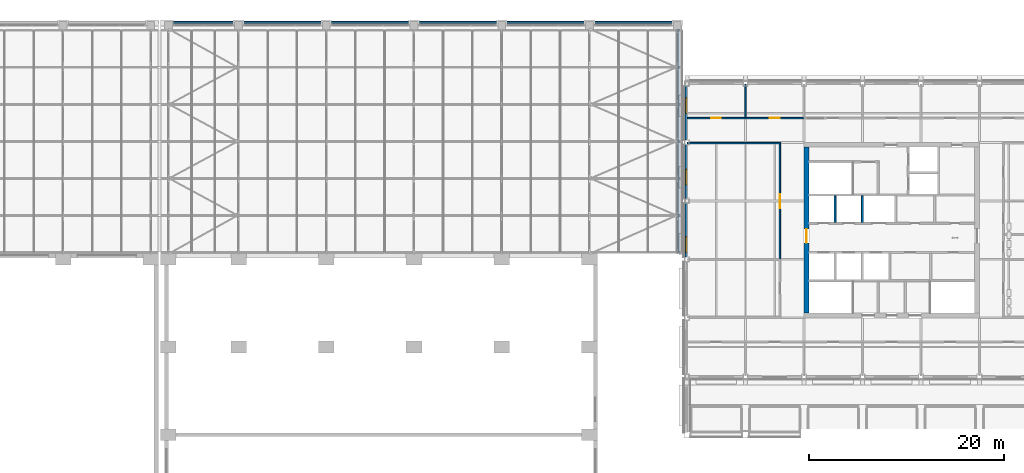
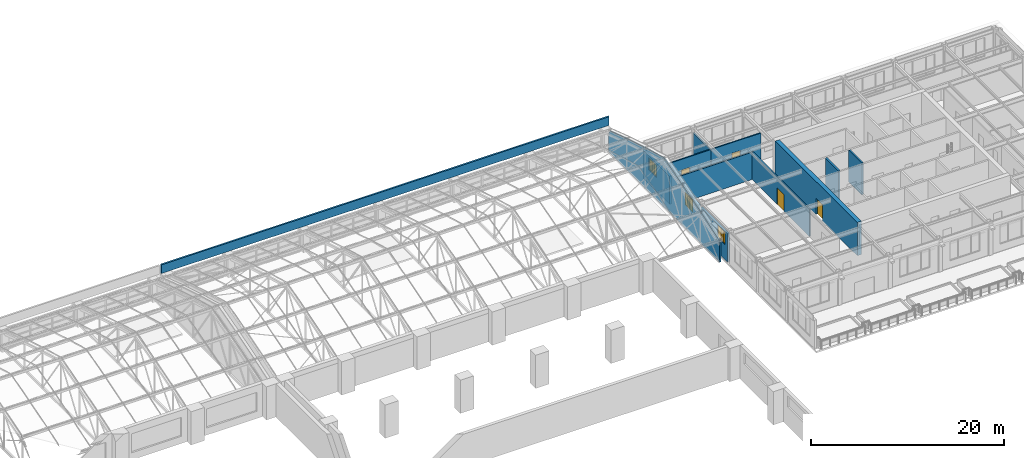
# One storey, part 61 of 82: 13 walls, 4 doors, 3 windows, 7 openings.
"""IFC4 building model written with IfcOpenShell, lengths in metres."""

from ifc_helpers import new_model, si_unit, direction, frame, frame_2d, origin, place, context, subcontext, project, spatial, polyline, rectangle, outline, extrude, material, layer, layer_set, type_object, element, fill, save


model = new_model("IFC4")

# Units and contexts
model_context = context("Model", 3, precision=1e-05, world=origin(), true_north=direction((0.0, 1.0)))
body_context = subcontext(model_context, "Body", "Model", "MODEL_VIEW")
ifc_project = project(units=[si_unit("LENGTHUNIT", "METRE"), si_unit("AREAUNIT", "SQUARE_METRE"), si_unit("VOLUMEUNIT", "CUBIC_METRE"), si_unit("PLANEANGLEUNIT", "RADIAN"), si_unit("MASSUNIT", "GRAM", prefix="KILO")], contexts=[model_context])

# Site, building, storey
site_placement = place(None, origin())
site = spatial("IfcSite", under=ifc_project, at=site_placement, CompositionType="ELEMENT")
building_placement = place(site_placement, origin())
building = spatial("IfcBuilding", under=site, at=building_placement, Name="Aravalli Gate Trade Fair Centre", CompositionType="ELEMENT")
storey_placement = place(building_placement, frame((0.0, 0.0, 19.199951171875)))
storey = spatial("IfcBuildingStorey", under=building, at=storey_placement, Name="L04", CompositionType="ELEMENT", Elevation=19.199951171875)

# Walls
ifc_material_1 = material(Name="Concrete M30", Category="concrete")
ifc_layer_1 = layer(ifc_material_1, 0.14990234375, Name="Structural parapet")
ifc_material_2 = material(Name="Terracotta cladding", Category="masonry")
ifc_layer_2 = layer(ifc_material_2, 0.050048828125, Name="Terracotta cladding")
ifc_layer_set_1 = layer_set([ifc_layer_1, ifc_layer_2], Name="Concourse roof parapet 200")
wall_type_1 = type_object("IfcWallType", Name="Concourse roof parapet 200", PredefinedType="PARAPET", material=ifc_layer_set_1)
wall_1_placement = place(storey_placement, frame((106.0, 133.300048828125, 2.85009765625), z_axis=(0.0, 0.0, 1.0), x_axis=(1.0, 0.0, 0.0)))
element("IfcWall", 1, at=wall_1_placement, inside=storey, type_object=wall_type_1, Name="Roof parapet N2", PredefinedType="PARAPET", context=body_context, shape_type="SweptSolid", body=[
    extrude(rectangle(XDim=53.5, YDim=0.199951171875, at=frame_2d((26.75, 0.0))), origin(), (0.0, 0.0, 1.0), 1.099853515625),
])
ifc_material_3 = material(Name="Aluminium and glass", Category="aluminium")
ifc_layer_3 = layer(ifc_material_3, 0.14990234375)
ifc_layer_set_2 = layer_set([ifc_layer_3], Name="Aluminium and glass")
wall_type_2 = type_object("IfcWallType", Name="Vault gable wall 150", PredefinedType="STANDARD", material=ifc_layer_set_2)
wall_2_placement = place(storey_placement, frame((159.14990234375, 109.60009765625, 0.0), z_axis=(0.0, 0.0, 1.0), x_axis=(0.0, 1.0, 0.0)))
element("IfcWall", 2, at=wall_2_placement, inside=storey, type_object=wall_type_2, Name="Vault gable wall e1", PredefinedType="STANDARD", context=body_context, shape_type="SweptSolid", body=[
    extrude(outline(polyline([(0.0, 0.0), (23.0, 0.0), (22.969970703125, 2.453125), (22.830078125, 2.453125), (22.8291015625, 2.75341796875), (19.1708984375, 3.95654296875), (19.169921875, 3.701171875), (19.030029296875, 3.701171875), (19.029052734375, 4.00146484375), (15.37109375, 5.108642578125), (15.3701171875, 4.849365234375), (15.22998046875, 4.849365234375), (15.22900390625, 5.149658203125), (11.571044921875, 6.160400390625), (11.570068359375, 5.880126953125), (11.429931640625, 5.880126953125), (11.428955078125, 6.160400390625), (7.77099609375, 5.149658203125), (7.77001953125, 4.849365234375), (7.6298828125, 4.849365234375), (7.62890625, 5.108642578125), (3.970947265625, 4.00146484375), (3.969970703125, 3.701171875), (3.830078125, 3.701171875), (3.8291015625, 3.95654296875), (0.1708984375, 2.75341796875), (0.169921875, 2.453125), (0.030029296875, 2.453125), (0.0, 0.0)])), frame((0.0, 0.074951171875, 0.0), z_axis=(0.0, -1.0, 0.0), x_axis=(1.0, 0.0, 0.0)), (0.0, 0.0, 1.0), 0.14990234375),
])
ifc_layer_4 = layer(ifc_material_1, 0.199951171875)
ifc_layer_set_3 = layer_set([ifc_layer_4], Name="Concrete M30")
wall_type_3 = type_object("IfcWallType", Name="Wing core internal wall 200 (EI 120, lift shaft)", PredefinedType="SOLIDWALL", material=ifc_layer_set_3)
for number, where, z_axis, x_axis, name in (
    (3, (175.199951171875, 112.800048828125, 0.0), (0.0, 0.0, 1.0), (0.0, 1.0, 0.0), "Core wall NB-3.2 L04"),
    (4, (178.0, 112.800048828125, 0.0), (0.0, 0.0, 1.0), (0.0, 1.0, 0.0), "Core wall NB-6.0 L04"),
):
    element("IfcWall", number, at=place(storey_placement, frame(where, z_axis=z_axis, x_axis=x_axis)), inside=storey, type_object=wall_type_3, Name=name, PredefinedType="SOLIDWALL", context=body_context, shape_type="SweptSolid", body=[
        extrude(rectangle(XDim=2.699951171875, YDim=0.199951171875, at=frame_2d((1.35009765625, 0.0))), origin(), (0.0, 0.0, 1.0), 4.0),
    ])

# Wall, opening, door
ifc_material_4 = material(Name="Concrete M50", Category="concrete")
ifc_layer_5 = layer(ifc_material_4, 0.5)
ifc_layer_set_4 = layer_set([ifc_layer_5], Name="Concrete M50")
wall_type_4 = type_object("IfcWallType", Name="Wing core shear wall 500", PredefinedType="SHEAR", material=ifc_layer_set_4)
wall_3_placement = place(storey_placement, frame((172.25, 103.5, 0.0), z_axis=(0.0, 0.0, 1.0), x_axis=(0.0, 1.0, 0.0)))
wall_3 = element("IfcWall", 5, at=wall_3_placement, inside=storey, type_object=wall_type_4, Name="Core wall W L04", PredefinedType="SHEAR", context=body_context, shape_type="SweptSolid", body=[
    extrude(rectangle(XDim=17.0, YDim=0.5, at=frame_2d((8.5, 0.0))), origin(), (0.0, 0.0, 1.0), 4.199951171875),
])
opening_1_placement = place(wall_3_placement, frame((7.199951171875, 0.0, 0.0)))
opening_1 = element("IfcOpeningElement", 6, at=opening_1_placement, cuts=wall_3, Name="Opening T-L04-106", PredefinedType="OPENING", context=body_context, shape_type="SweptSolid", body=[
    extrude(rectangle(XDim=1.39990234375, YDim=2.10009765625, at=frame_2d((0.699951171875, 1.050048828125))), frame((0.0, 0.260009765625, 0.0), z_axis=(0.0, -1.0, 0.0), x_axis=(1.0, 0.0, 0.0)), (0.0, 0.0, 1.0), 0.52001953125),
])
ifc_material_5 = material(Name="Steel, fire rated", Category="steel")
door_type_1 = type_object("IfcDoorType", Name="Wing fire door FD120 1400 x 2100", OperationType="DOUBLE_DOOR_SINGLE_SWING", PredefinedType="DOOR", material=ifc_material_5)
door_1_placement = place(opening_1_placement, origin())
door_1 = element("IfcDoor", 7, at=door_1_placement, inside=storey, type_object=door_type_1, Name="Core door T-L04-106", OperationType="DOUBLE_DOOR_SINGLE_SWING", OverallHeight=2.10009765625, OverallWidth=1.39990234375, PredefinedType="DOOR", context=body_context, shape_type="SweptSolid", body=[
    extrude(rectangle(XDim=1.39990234375, YDim=2.10009765625, at=frame_2d((0.699951171875, 1.050048828125))), frame((0.0, 0.02490234375, 0.0), z_axis=(0.0, -1.0, 0.0), x_axis=(1.0, 0.0, 0.0)), (0.0, 0.0, 1.0), 0.050048828125),
])
fill(opening_1, door_1)

ifc_material_6 = material(Name="Blockwork with fire-rated lining", Category="masonry")
ifc_layer_6 = layer(ifc_material_6, 0.14990234375)
ifc_layer_set_5 = layer_set([ifc_layer_6], Name="Blockwork with fire-rated lining")
wall_type_5 = type_object("IfcWallType", Name="Wing partition 150 (EI 60, corridor wall)", PredefinedType="PARTITIONING", material=ifc_layer_set_5)
wall_4_placement = place(storey_placement, frame((160.050048828125, 123.47509765625, 0.0), z_axis=(0.0, 0.0, 1.0), x_axis=(1.0, 0.0, 0.0)))
wall_4 = element("IfcWall", 8, at=wall_4_placement, inside=storey, type_object=wall_type_5, Name="Partition NW1 L04", PredefinedType="PARTITIONING", context=body_context, shape_type="SweptSolid", body=[
    extrude(rectangle(XDim=5.949951171875, YDim=0.14990234375, at=frame_2d((2.97509765625, 0.0))), origin(), (0.0, 0.0, 1.0), 3.449951171875),
])
opening_2_placement = place(wall_4_placement, frame((2.4375, 0.0, 0.0)))
opening_2 = element("IfcOpeningElement", 9, at=opening_2_placement, cuts=wall_4, Name="Opening T-L04-148", PredefinedType="OPENING", context=body_context, shape_type="SweptSolid", body=[
    extrude(rectangle(XDim=1.0, YDim=2.10009765625, at=frame_2d((0.5, 1.050048828125))), frame((0.0, 0.0849609375, 0.0), z_axis=(0.0, -1.0, 0.0), x_axis=(1.0, 0.0, 0.0)), (0.0, 0.0, 1.0), 0.169921875),
])
door_type_2 = type_object("IfcDoorType", Name="Wing fire door FD60 1000 x 2100", OperationType="SINGLE_SWING_LEFT", PredefinedType="DOOR", material=ifc_material_5)
door_2_placement = place(opening_2_placement, origin())
door_2 = element("IfcDoor", 10, at=door_2_placement, inside=storey, type_object=door_type_2, Name="Door T-L04-148", OperationType="SINGLE_SWING_RIGHT", OverallHeight=2.10009765625, OverallWidth=1.0, PredefinedType="DOOR", context=body_context, shape_type="SweptSolid", body=[
    extrude(rectangle(XDim=1.0, YDim=2.10009765625, at=frame_2d((0.5, 1.050048828125))), frame((0.0, 0.02490234375, 0.0), z_axis=(0.0, -1.0, 0.0), x_axis=(1.0, 0.0, 0.0)), (0.0, 0.0, 1.0), 0.050048828125),
])
fill(opening_2, door_2)

# Wall
wall_5_placement = place(storey_placement, frame((166.0, 123.550048828125, 0.0), z_axis=(0.0, 0.0, 1.0), x_axis=(0.0, 1.0, 0.0)))
element("IfcWall", 11, at=wall_5_placement, inside=storey, type_object=wall_type_5, Name="Partition NP1 L04", PredefinedType="PARTITIONING", context=body_context, shape_type="SweptSolid", body=[
    extrude(rectangle(XDim=3.39990234375, YDim=0.14990234375, at=frame_2d((1.699951171875, 0.0))), origin(), (0.0, 0.0, 1.0), 3.449951171875),
])

# Wall, opening, door
wall_6_placement = place(storey_placement, frame((166.0, 123.47509765625, 0.0), z_axis=(0.0, 0.0, 1.0), x_axis=(1.0, 0.0, 0.0)))
wall_6 = element("IfcWall", 12, at=wall_6_placement, inside=storey, type_object=wall_type_5, Name="Partition NW2 L04", PredefinedType="PARTITIONING", context=body_context, shape_type="SweptSolid", body=[
    extrude(rectangle(XDim=6.0, YDim=0.14990234375, at=frame_2d((3.0, 0.0))), origin(), (0.0, 0.0, 1.0), 3.449951171875),
])
opening_3_placement = place(wall_6_placement, frame((2.5, 0.0, 0.0)))
opening_3 = element("IfcOpeningElement", 13, at=opening_3_placement, cuts=wall_6, Name="Opening T-L04-149", PredefinedType="OPENING", context=body_context, shape_type="SweptSolid", body=[
    extrude(rectangle(XDim=1.0, YDim=2.10009765625, at=frame_2d((0.5, 1.050048828125))), frame((0.0, 0.0849609375, 0.0), z_axis=(0.0, -1.0, 0.0), x_axis=(1.0, 0.0, 0.0)), (0.0, 0.0, 1.0), 0.169921875),
])
door_3_placement = place(opening_3_placement, origin())
door_3 = element("IfcDoor", 14, at=door_3_placement, inside=storey, type_object=door_type_2, Name="Door T-L04-149", OperationType="SINGLE_SWING_LEFT", OverallHeight=2.10009765625, OverallWidth=1.0, PredefinedType="DOOR", context=body_context, shape_type="SweptSolid", body=[
    extrude(rectangle(XDim=1.0, YDim=2.10009765625, at=frame_2d((0.5, 1.050048828125))), frame((0.0, 0.02490234375, 0.0), z_axis=(0.0, -1.0, 0.0), x_axis=(1.0, 0.0, 0.0)), (0.0, 0.0, 1.0), 0.050048828125),
])
fill(opening_3, door_3)

wall_7_placement = place(storey_placement, frame((169.52490234375, 109.0, 0.0), z_axis=(0.0, 0.0, 1.0), x_axis=(0.0, 1.0, 0.0)))
wall_7 = element("IfcWall", 15, at=wall_7_placement, inside=storey, type_object=wall_type_5, Name="Partition WW2 L04", PredefinedType="PARTITIONING", context=body_context, shape_type="SweptSolid", body=[
    extrude(rectangle(XDim=11.85009765625, YDim=0.14990234375, at=frame_2d((5.925048828125, 0.0))), origin(), (0.0, 0.0, 1.0), 3.449951171875),
])
opening_4_placement = place(wall_7_placement, frame((5.262451171875, 0.0, 0.0)))
opening_4 = element("IfcOpeningElement", 16, at=opening_4_placement, cuts=wall_7, Name="Opening T-L04-156", PredefinedType="OPENING", context=body_context, shape_type="SweptSolid", body=[
    extrude(rectangle(XDim=1.39990234375, YDim=2.10009765625, at=frame_2d((0.699951171875, 1.050048828125))), frame((0.0, 0.0849609375, 0.0), z_axis=(0.0, -1.0, 0.0), x_axis=(1.0, 0.0, 0.0)), (0.0, 0.0, 1.0), 0.169921875),
])
door_type_3 = type_object("IfcDoorType", Name="Wing fire door FD60 1400 x 2100", OperationType="DOUBLE_DOOR_SINGLE_SWING", PredefinedType="DOOR", material=ifc_material_5)
door_4_placement = place(opening_4_placement, origin())
door_4 = element("IfcDoor", 17, at=door_4_placement, inside=storey, type_object=door_type_3, Name="Door T-L04-156", OperationType="DOUBLE_DOOR_SINGLE_SWING", OverallHeight=2.10009765625, OverallWidth=1.39990234375, PredefinedType="DOOR", context=body_context, shape_type="SweptSolid", body=[
    extrude(rectangle(XDim=1.39990234375, YDim=2.10009765625, at=frame_2d((0.699951171875, 1.050048828125))), frame((0.0, 0.02490234375, 0.0), z_axis=(0.0, -1.0, 0.0), x_axis=(1.0, 0.0, 0.0)), (0.0, 0.0, 1.0), 0.050048828125),
])
fill(opening_4, door_4)

# Wall
wall_8_placement = place(storey_placement, frame((160.050048828125, 120.925048828125, 0.0), z_axis=(0.0, 0.0, 1.0), x_axis=(1.0, 0.0, 0.0)))
element("IfcWall", 18, at=wall_8_placement, inside=storey, type_object=wall_type_5, Name="Partition CL-NW L04", PredefinedType="PARTITIONING", context=body_context, shape_type="SweptSolid", body=[
    extrude(rectangle(XDim=9.550048828125, YDim=0.14990234375, at=frame_2d((4.77490234375, 0.0))), origin(), (0.0, 0.0, 1.0), 3.449951171875),
])

# Wall, opening, window
ifc_material_7 = material(Name="Concrete block masonry", Category="masonry")
ifc_layer_7 = layer(ifc_material_7, 0.2099609375, Name="Block masonry")
ifc_layer_8 = layer(ifc_material_2, 0.0400390625, Name="Terracotta cladding")
ifc_layer_set_6 = layer_set([ifc_layer_7, ifc_layer_8], Name="Wing terracotta clad infill wall 250")
wall_type_6 = type_object("IfcWallType", Name="Wing terracotta clad infill wall 250", PredefinedType="SOLIDWALL", material=ifc_layer_set_6)
wall_9_placement = place(storey_placement, frame((159.925048828125, 109.22509765625, 0.0), z_axis=(0.0, 0.0, 1.0), x_axis=(0.0, 1.0, 0.0)))
wall_9 = element("IfcWall", 19, at=wall_9_placement, inside=storey, type_object=wall_type_6, Name="Facade wall W3 L04", PredefinedType="SOLIDWALL", context=body_context, shape_type="SweptSolid", body=[
    extrude(rectangle(XDim=5.5498046875, YDim=0.25, at=frame_2d((2.77490234375, 0.0))), origin(), (0.0, 0.0, 1.0), 3.550048828125),
])
opening_5_placement = place(wall_9_placement, frame((0.5, 0.0, 1.85009765625)))
opening_5 = element("IfcOpeningElement", 20, at=opening_5_placement, cuts=wall_9, Name="Opening TWN3", PredefinedType="OPENING", context=body_context, shape_type="SweptSolid", body=[
    extrude(rectangle(XDim=1.60009765625, YDim=1.60009765625, at=frame_2d((0.800048828125, 0.800048828125))), frame((0.0, 0.135009765625, 0.0), z_axis=(0.0, -1.0, 0.0), x_axis=(1.0, 0.0, 0.0)), (0.0, 0.0, 1.0), 0.27001953125),
])
window_type = type_object("IfcWindowType", Name="Wing chicago window 1600 x 1600", PartitioningType="TRIPLE_PANEL_VERTICAL", PredefinedType="WINDOW", material=ifc_material_3)
window_1_placement = place(opening_5_placement, origin())
window_1 = element("IfcWindow", 21, at=window_1_placement, inside=storey, type_object=window_type, Name="Window W3 L04", OverallHeight=1.60009765625, OverallWidth=1.60009765625, PartitioningType="TRIPLE_PANEL_VERTICAL", PredefinedType="WINDOW", context=body_context, shape_type="SweptSolid", body=[
    extrude(outline(polyline([(0.0, 0.0), (1.60009765625, 0.0), (1.60009765625, 1.60009765625), (0.0, 1.60009765625), (0.0, 0.0)]), holes=[polyline([(0.06005859375, 0.06005859375), (0.56005859375, 0.06005859375), (0.56005859375, 1.5400390625), (0.06005859375, 1.5400390625), (0.06005859375, 0.06005859375)]), polyline([(0.66015625, 0.06005859375), (0.93994140625, 0.06005859375), (0.93994140625, 1.5400390625), (0.66015625, 1.5400390625), (0.66015625, 0.06005859375)]), polyline([(1.0400390625, 0.06005859375), (1.5400390625, 0.06005859375), (1.5400390625, 1.5400390625), (1.0400390625, 1.5400390625), (1.0400390625, 0.06005859375)])]), frame((0.0, 0.030029296875, 0.0), z_axis=(0.0, -1.0, 0.0), x_axis=(1.0, 0.0, 0.0)), (0.0, 0.0, 1.0), 0.06005859375),
    extrude(rectangle(XDim=0.52392578125, YDim=1.50390625, at=frame_2d((0.31005859375, 0.800048828125))), frame((0.0, 0.010009765625, 0.0), z_axis=(0.0, -1.0, 0.0), x_axis=(1.0, 0.0, 0.0)), (0.0, 0.0, 1.0), 0.02001953125),
    extrude(rectangle(XDim=0.3037109375, YDim=1.50390625, at=frame_2d((0.800048828125, 0.800048828125))), frame((0.0, 0.010009765625, 0.0), z_axis=(0.0, -1.0, 0.0), x_axis=(1.0, 0.0, 0.0)), (0.0, 0.0, 1.0), 0.02001953125),
    extrude(rectangle(XDim=0.52392578125, YDim=1.50390625, at=frame_2d((1.2900390625, 0.800048828125))), frame((0.0, 0.010009765625, 0.0), z_axis=(0.0, -1.0, 0.0), x_axis=(1.0, 0.0, 0.0)), (0.0, 0.0, 1.0), 0.02001953125),
])
fill(opening_5, window_1)

wall_10_placement = place(storey_placement, frame((159.925048828125, 115.22509765625, 0.0), z_axis=(0.0, 0.0, 1.0), x_axis=(0.0, 1.0, 0.0)))
wall_10 = element("IfcWall", 22, at=wall_10_placement, inside=storey, type_object=wall_type_6, Name="Facade wall W4 L04", PredefinedType="SOLIDWALL", context=body_context, shape_type="SweptSolid", body=[
    extrude(rectangle(XDim=5.5498046875, YDim=0.25, at=frame_2d((2.77490234375, 0.0))), origin(), (0.0, 0.0, 1.0), 3.550048828125),
])
opening_6_placement = place(wall_10_placement, frame((1.39990234375, 0.0, 1.75)))
opening_6 = element("IfcOpeningElement", 23, at=opening_6_placement, cuts=wall_10, Name="Opening TWN3", PredefinedType="OPENING", context=body_context, shape_type="SweptSolid", body=[
    extrude(rectangle(XDim=1.60009765625, YDim=1.60009765625, at=frame_2d((0.800048828125, 0.800048828125))), frame((0.0, 0.135009765625, 0.0), z_axis=(0.0, -1.0, 0.0), x_axis=(1.0, 0.0, 0.0)), (0.0, 0.0, 1.0), 0.27001953125),
])
window_2_placement = place(opening_6_placement, origin())
window_2 = element("IfcWindow", 24, at=window_2_placement, inside=storey, type_object=window_type, Name="Window W4 L04", OverallHeight=1.60009765625, OverallWidth=1.60009765625, PartitioningType="TRIPLE_PANEL_VERTICAL", PredefinedType="WINDOW", context=body_context, shape_type="SweptSolid", body=[
    extrude(outline(polyline([(0.0, 0.0), (1.60009765625, 0.0), (1.60009765625, 1.60009765625), (0.0, 1.60009765625), (0.0, 0.0)]), holes=[polyline([(0.06005859375, 0.06005859375), (0.56005859375, 0.06005859375), (0.56005859375, 1.5400390625), (0.06005859375, 1.5400390625), (0.06005859375, 0.06005859375)]), polyline([(0.66015625, 0.06005859375), (0.93994140625, 0.06005859375), (0.93994140625, 1.5400390625), (0.66015625, 1.5400390625), (0.66015625, 0.06005859375)]), polyline([(1.0400390625, 0.06005859375), (1.5400390625, 0.06005859375), (1.5400390625, 1.5400390625), (1.0400390625, 1.5400390625), (1.0400390625, 0.06005859375)])]), frame((0.0, 0.030029296875, 0.0), z_axis=(0.0, -1.0, 0.0), x_axis=(1.0, 0.0, 0.0)), (0.0, 0.0, 1.0), 0.06005859375),
    extrude(rectangle(XDim=0.52392578125, YDim=1.50390625, at=frame_2d((0.31005859375, 0.800048828125))), frame((0.0, 0.010009765625, 0.0), z_axis=(0.0, -1.0, 0.0), x_axis=(1.0, 0.0, 0.0)), (0.0, 0.0, 1.0), 0.02001953125),
    extrude(rectangle(XDim=0.3037109375, YDim=1.50390625, at=frame_2d((0.800048828125, 0.800048828125))), frame((0.0, 0.010009765625, 0.0), z_axis=(0.0, -1.0, 0.0), x_axis=(1.0, 0.0, 0.0)), (0.0, 0.0, 1.0), 0.02001953125),
    extrude(rectangle(XDim=0.52392578125, YDim=1.50390625, at=frame_2d((1.2900390625, 0.800048828125))), frame((0.0, 0.010009765625, 0.0), z_axis=(0.0, -1.0, 0.0), x_axis=(1.0, 0.0, 0.0)), (0.0, 0.0, 1.0), 0.02001953125),
])
fill(opening_6, window_2)

wall_11_placement = place(storey_placement, frame((159.925048828125, 121.22509765625, 0.0), z_axis=(0.0, 0.0, 1.0), x_axis=(0.0, 1.0, 0.0)))
wall_11 = element("IfcWall", 25, at=wall_11_placement, inside=storey, type_object=wall_type_6, Name="Facade wall W5 L04", PredefinedType="SOLIDWALL", context=body_context, shape_type="SweptSolid", body=[
    extrude(rectangle(XDim=5.5498046875, YDim=0.25, at=frame_2d((2.77490234375, 0.0))), origin(), (0.0, 0.0, 1.0), 3.550048828125),
])
opening_7_placement = place(wall_11_placement, frame((2.75, 0.0, 1.75)))
opening_7 = element("IfcOpeningElement", 26, at=opening_7_placement, cuts=wall_11, Name="Opening TWN3", PredefinedType="OPENING", context=body_context, shape_type="SweptSolid", body=[
    extrude(rectangle(XDim=1.60009765625, YDim=1.60009765625, at=frame_2d((0.800048828125, 0.800048828125))), frame((0.0, 0.135009765625, 0.0), z_axis=(0.0, -1.0, 0.0), x_axis=(1.0, 0.0, 0.0)), (0.0, 0.0, 1.0), 0.27001953125),
])
window_3_placement = place(opening_7_placement, origin())
window_3 = element("IfcWindow", 27, at=window_3_placement, inside=storey, type_object=window_type, Name="Window W5 L04", OverallHeight=1.60009765625, OverallWidth=1.60009765625, PartitioningType="TRIPLE_PANEL_VERTICAL", PredefinedType="WINDOW", context=body_context, shape_type="SweptSolid", body=[
    extrude(outline(polyline([(0.0, 0.0), (1.60009765625, 0.0), (1.60009765625, 1.60009765625), (0.0, 1.60009765625), (0.0, 0.0)]), holes=[polyline([(0.06005859375, 0.06005859375), (0.56005859375, 0.06005859375), (0.56005859375, 1.5400390625), (0.06005859375, 1.5400390625), (0.06005859375, 0.06005859375)]), polyline([(0.66015625, 0.06005859375), (0.93994140625, 0.06005859375), (0.93994140625, 1.5400390625), (0.66015625, 1.5400390625), (0.66015625, 0.06005859375)]), polyline([(1.0400390625, 0.06005859375), (1.5400390625, 0.06005859375), (1.5400390625, 1.5400390625), (1.0400390625, 1.5400390625), (1.0400390625, 0.06005859375)])]), frame((0.0, 0.030029296875, 0.0), z_axis=(0.0, -1.0, 0.0), x_axis=(1.0, 0.0, 0.0)), (0.0, 0.0, 1.0), 0.06005859375),
    extrude(rectangle(XDim=0.52392578125, YDim=1.50390625, at=frame_2d((0.31005859375, 0.800048828125))), frame((0.0, 0.010009765625, 0.0), z_axis=(0.0, -1.0, 0.0), x_axis=(1.0, 0.0, 0.0)), (0.0, 0.0, 1.0), 0.02001953125),
    extrude(rectangle(XDim=0.3037109375, YDim=1.50390625, at=frame_2d((0.800048828125, 0.800048828125))), frame((0.0, 0.010009765625, 0.0), z_axis=(0.0, -1.0, 0.0), x_axis=(1.0, 0.0, 0.0)), (0.0, 0.0, 1.0), 0.02001953125),
    extrude(rectangle(XDim=0.52392578125, YDim=1.50390625, at=frame_2d((1.2900390625, 0.800048828125))), frame((0.0, 0.010009765625, 0.0), z_axis=(0.0, -1.0, 0.0), x_axis=(1.0, 0.0, 0.0)), (0.0, 0.0, 1.0), 0.02001953125),
])
fill(opening_7, window_3)

save(model, "model.ifc")
